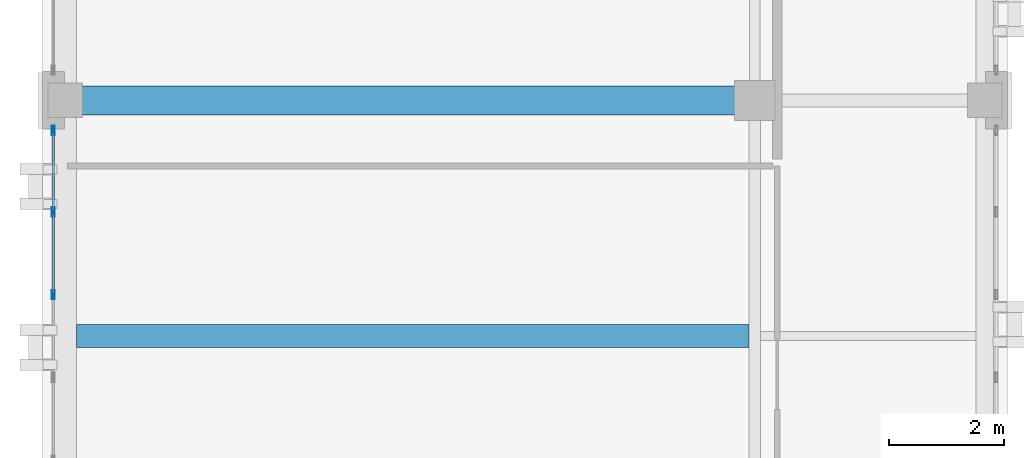
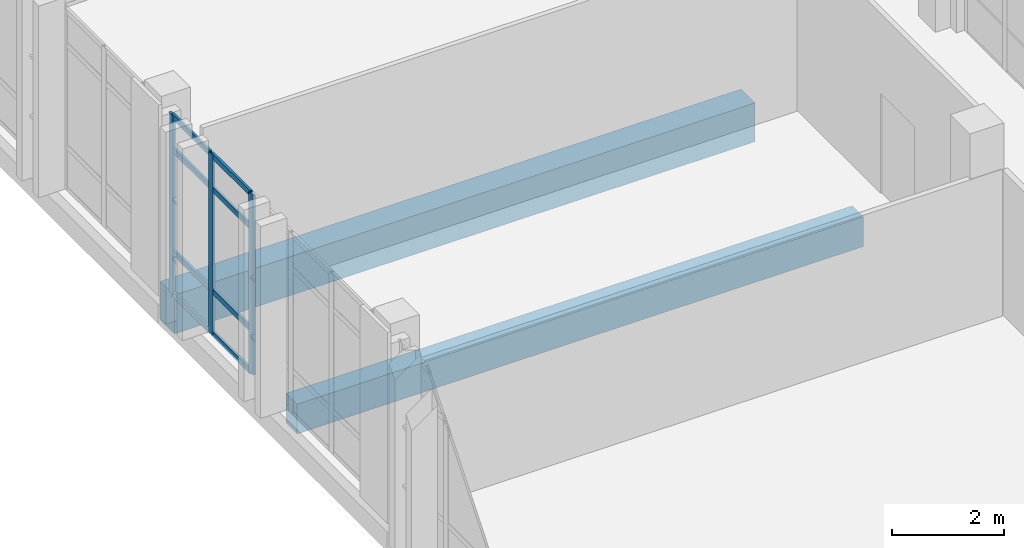
# One storey, part 32 of 90: 11 members, 2 beams, 1 element without a shape of its own.
"""IFC4 building model written with IfcOpenShell, lengths in metres."""

from ifc_helpers import new_model, si_unit, direction, frame, origin, origin_2d, place, context, subcontext, project, spatial, rectangle, hollow_rectangle, extrude, material, layer, layer_set, material_profile, profile_set, type_object, element, aggregate, save


model = new_model("IFC4")

# Units and contexts
model_context = context("Model", 3, precision=1e-05, world=origin(), true_north=direction((0.0, 1.0)))
body_context = subcontext(model_context, "Body", "Model", "MODEL_VIEW")
ifc_project = project(units=[si_unit("LENGTHUNIT", "METRE"), si_unit("AREAUNIT", "SQUARE_METRE"), si_unit("VOLUMEUNIT", "CUBIC_METRE"), si_unit("PLANEANGLEUNIT", "RADIAN"), si_unit("MASSUNIT", "GRAM", prefix="KILO")], contexts=[model_context])

# Site, building, storey
site_placement = place(None, origin())
site = spatial("IfcSite", under=ifc_project, at=site_placement, CompositionType="ELEMENT")
building_placement = place(site_placement, origin())
building = spatial("IfcBuilding", under=site, at=building_placement, Name="Qalavern Law Courts", CompositionType="ELEMENT")
storey_placement = place(building_placement, frame((0.0, 0.0, 22.800048828125)))
storey = spatial("IfcBuildingStorey", under=building, at=storey_placement, Name="L05", CompositionType="ELEMENT", Elevation=22.800048828125)

# Curtain wall, members
ifc_material_1 = material(Name="Anodised aluminium and insulated glazing", Category="aluminium")
ifc_layer = layer(ifc_material_1, 0.159912109375)
ifc_layer_set = layer_set([ifc_layer], Name="Anodised aluminium and insulated glazing")
curtain_wall_type = type_object("IfcCurtainWallType", Name="ENV-CW-CHAMB", PredefinedType="USERDEFINED", material=ifc_layer_set)
curtain_wall_placement = place(storey_placement, origin())
curtain_wall = element("IfcCurtainWall", 1, at=curtain_wall_placement, inside=storey, type_object=curtain_wall_type, Name="V3 unitised curtain wall L05 west 2", ObjectType="UNITISED CURTAIN WALL", PredefinedType="USERDEFINED")
ifc_material_2 = material(Name="Anodised aluminium", Category="aluminium")
ifc_material_profile_1 = material_profile(ifc_material_2, hollow_rectangle(XDim=0.048095703125, YDim=0.159912109375, WallThickness=0.00390625, at=origin_2d()), Name="ALU MULLION 48x160")
ifc_profile_set_1 = profile_set([ifc_material_profile_1], Name="Anodised aluminium")
member_type_1 = type_object("IfcMemberType", Name="ENV-CWM-48x160", PredefinedType="MULLION", material=ifc_profile_set_1)
member_1_placement = place(storey_placement, frame((2.1923828125, 87.075927734375, 0.0), z_axis=(0.0, 0.0, 1.0), x_axis=(1.0, 0.0, 0.0)))
member_1 = element("IfcMember", 2, at=member_1_placement, type_object=member_type_1, Name="CW-04 mullion 1", PredefinedType="MULLION", context=body_context, shape_type="SweptSolid", body=[
    extrude(hollow_rectangle(XDim=0.048095703125, YDim=0.159912109375, WallThickness=0.00390625, at=origin_2d()), origin(), (0.0, 0.0, 1.0), 3.929931640625),
])
member_2_placement = place(storey_placement, frame((2.1923828125, 85.659912109375, 0.0), z_axis=(0.0, 0.0, 1.0), x_axis=(1.0, 0.0, 0.0)))
member_2 = element("IfcMember", 3, at=member_2_placement, type_object=member_type_1, Name="CW-04 mullion 2", PredefinedType="MULLION", context=body_context, shape_type="SweptSolid", body=[
    extrude(hollow_rectangle(XDim=0.048095703125, YDim=0.159912109375, WallThickness=0.00390625, at=origin_2d()), origin(), (0.0, 0.0, 1.0), 3.929931640625),
])
member_3_placement = place(storey_placement, frame((2.1923828125, 84.219970703125, 0.0), z_axis=(0.0, 0.0, 1.0), x_axis=(1.0, 0.0, 0.0)))
member_3 = element("IfcMember", 4, at=member_3_placement, type_object=member_type_1, Name="CW-04 mullion 3", PredefinedType="MULLION", context=body_context, shape_type="SweptSolid", body=[
    extrude(hollow_rectangle(XDim=0.048095703125, YDim=0.159912109375, WallThickness=0.00390625, at=origin_2d()), origin(), (0.0, 0.0, 1.0), 3.929931640625),
])
ifc_material_profile_2 = material_profile(ifc_material_2, hollow_rectangle(XDim=0.048095703125, YDim=0.1201171875, WallThickness=0.00390625, at=origin_2d()), Name="ALU TRANSOM 48x120")
ifc_profile_set_2 = profile_set([ifc_material_profile_2], Name="Anodised aluminium")
member_type_2 = type_object("IfcMemberType", Name="ENV-CWT-48x120", PredefinedType="USERDEFINED", material=ifc_profile_set_2)
member_4_placement = place(storey_placement, frame((2.1923828125, 87.052001953125, 0.02392578125), z_axis=(0.0, -1.0, 0.0), x_axis=(1.0, 0.0, 0.0)))
member_4 = element("IfcMember", 5, at=member_4_placement, type_object=member_type_2, Name="CW-04 transom 1.1", ObjectType="TRANSOM", PredefinedType="USERDEFINED", context=body_context, shape_type="SweptSolid", body=[
    extrude(hollow_rectangle(XDim=0.048095703125, YDim=0.1201171875, WallThickness=0.00390625, at=origin_2d()), origin(), (0.0, 0.0, 1.0), 1.367919921875),
])
member_5_placement = place(storey_placement, frame((2.1923828125, 87.052001953125, 0.949951171875), z_axis=(0.0, -1.0, 0.0), x_axis=(1.0, 0.0, 0.0)))
member_5 = element("IfcMember", 6, at=member_5_placement, type_object=member_type_2, Name="CW-04 transom 1.2", ObjectType="TRANSOM", PredefinedType="USERDEFINED", context=body_context, shape_type="SweptSolid", body=[
    extrude(hollow_rectangle(XDim=0.048095703125, YDim=0.1201171875, WallThickness=0.00390625, at=origin_2d()), origin(), (0.0, 0.0, 1.0), 1.367919921875),
])
member_6_placement = place(storey_placement, frame((2.1923828125, 87.052001953125, 3.179931640625), z_axis=(0.0, -1.0, 0.0), x_axis=(1.0, 0.0, 0.0)))
member_6 = element("IfcMember", 7, at=member_6_placement, type_object=member_type_2, Name="CW-04 transom 1.3", ObjectType="TRANSOM", PredefinedType="USERDEFINED", context=body_context, shape_type="SweptSolid", body=[
    extrude(hollow_rectangle(XDim=0.048095703125, YDim=0.1201171875, WallThickness=0.00390625, at=origin_2d()), origin(), (0.0, 0.0, 1.0), 1.367919921875),
])
member_7_placement = place(storey_placement, frame((2.1923828125, 87.052001953125, 3.906005859375), z_axis=(0.0, -1.0, 0.0), x_axis=(1.0, 0.0, 0.0)))
member_7 = element("IfcMember", 8, at=member_7_placement, type_object=member_type_2, Name="CW-04 transom 1.4", ObjectType="TRANSOM", PredefinedType="USERDEFINED", context=body_context, shape_type="SweptSolid", body=[
    extrude(hollow_rectangle(XDim=0.048095703125, YDim=0.1201171875, WallThickness=0.00390625, at=origin_2d()), origin(), (0.0, 0.0, 1.0), 1.367919921875),
])
member_8_placement = place(storey_placement, frame((2.1923828125, 85.635986328125, 0.02392578125), z_axis=(0.0, -1.0, 0.0), x_axis=(1.0, 0.0, 0.0)))
member_8 = element("IfcMember", 9, at=member_8_placement, type_object=member_type_2, Name="CW-04 transom 2.1", ObjectType="TRANSOM", PredefinedType="USERDEFINED", context=body_context, shape_type="SweptSolid", body=[
    extrude(hollow_rectangle(XDim=0.048095703125, YDim=0.1201171875, WallThickness=0.00390625, at=origin_2d()), origin(), (0.0, 0.0, 1.0), 1.39208984375),
])
member_9_placement = place(storey_placement, frame((2.1923828125, 85.635986328125, 0.949951171875), z_axis=(0.0, -1.0, 0.0), x_axis=(1.0, 0.0, 0.0)))
member_9 = element("IfcMember", 10, at=member_9_placement, type_object=member_type_2, Name="CW-04 transom 2.2", ObjectType="TRANSOM", PredefinedType="USERDEFINED", context=body_context, shape_type="SweptSolid", body=[
    extrude(hollow_rectangle(XDim=0.048095703125, YDim=0.1201171875, WallThickness=0.00390625, at=origin_2d()), origin(), (0.0, 0.0, 1.0), 1.39208984375),
])
member_10_placement = place(storey_placement, frame((2.1923828125, 85.635986328125, 3.179931640625), z_axis=(0.0, -1.0, 0.0), x_axis=(1.0, 0.0, 0.0)))
member_10 = element("IfcMember", 11, at=member_10_placement, type_object=member_type_2, Name="CW-04 transom 2.3", ObjectType="TRANSOM", PredefinedType="USERDEFINED", context=body_context, shape_type="SweptSolid", body=[
    extrude(hollow_rectangle(XDim=0.048095703125, YDim=0.1201171875, WallThickness=0.00390625, at=origin_2d()), origin(), (0.0, 0.0, 1.0), 1.39208984375),
])
member_11_placement = place(storey_placement, frame((2.1923828125, 85.635986328125, 3.906005859375), z_axis=(0.0, -1.0, 0.0), x_axis=(1.0, 0.0, 0.0)))
member_11 = element("IfcMember", 12, at=member_11_placement, type_object=member_type_2, Name="CW-04 transom 2.4", ObjectType="TRANSOM", PredefinedType="USERDEFINED", context=body_context, shape_type="SweptSolid", body=[
    extrude(hollow_rectangle(XDim=0.048095703125, YDim=0.1201171875, WallThickness=0.00390625, at=origin_2d()), origin(), (0.0, 0.0, 1.0), 1.39208984375),
])
aggregate(curtain_wall, [member_1, member_2, member_3, member_4, member_5, member_6, member_7, member_8, member_9, member_10, member_11])

# Beams
ifc_material_3 = material(Name="Concrete C40/50", Category="concrete")
ifc_material_profile_3 = material_profile(ifc_material_3, rectangle(XDim=0.5, YDim=0.85009765625, at=origin_2d()), Name="RC 500x850")
ifc_profile_set_3 = profile_set([ifc_material_profile_3], Name="Concrete C40/50")
beam_type_1 = type_object("IfcBeamType", Name="STR-BM-RC500x850", PredefinedType="BEAM", material=ifc_profile_set_3)
beam_1_placement = place(storey_placement, frame((2.39990234375, 87.60009765625, -0.699951171875), z_axis=(1.0, 0.0, 0.0), x_axis=(0.0, 1.0, 0.0)))
element("IfcBeam", 13, at=beam_1_placement, inside=storey, type_object=beam_type_1, Name="V3 X-beam 7-1 L05", PredefinedType="BEAM", context=body_context, shape_type="SweptSolid", body=[
    extrude(rectangle(XDim=0.5, YDim=0.85009765625, at=origin_2d()), origin(), (0.0, 0.0, 1.0), 12.0),
])
ifc_material_4 = material(Name="Concrete C35/45", Category="concrete")
ifc_material_profile_4 = material_profile(ifc_material_4, rectangle(XDim=0.39990234375, YDim=0.64990234375, at=origin_2d()), Name="RC 400x650")
ifc_profile_set_4 = profile_set([ifc_material_profile_4], Name="Concrete C35/45")
beam_type_2 = type_object("IfcBeamType", Name="STR-JST-RC400x650", PredefinedType="JOIST", material=ifc_profile_set_4)
beam_2_placement = place(storey_placement, frame((2.597900390625, 83.5, -0.60009765625), z_axis=(1.0, 0.0, 0.0), x_axis=(0.0, 1.0, 0.0)))
element("IfcBeam", 14, at=beam_2_placement, inside=storey, type_object=beam_type_2, Name="V3 secondary joist 1.6.1 L05", PredefinedType="JOIST", context=body_context, shape_type="SweptSolid", body=[
    extrude(rectangle(XDim=0.39990234375, YDim=0.64990234375, at=origin_2d()), origin(), (0.0, 0.0, 1.0), 11.7041015625),
])

save(model, "model.ifc")
